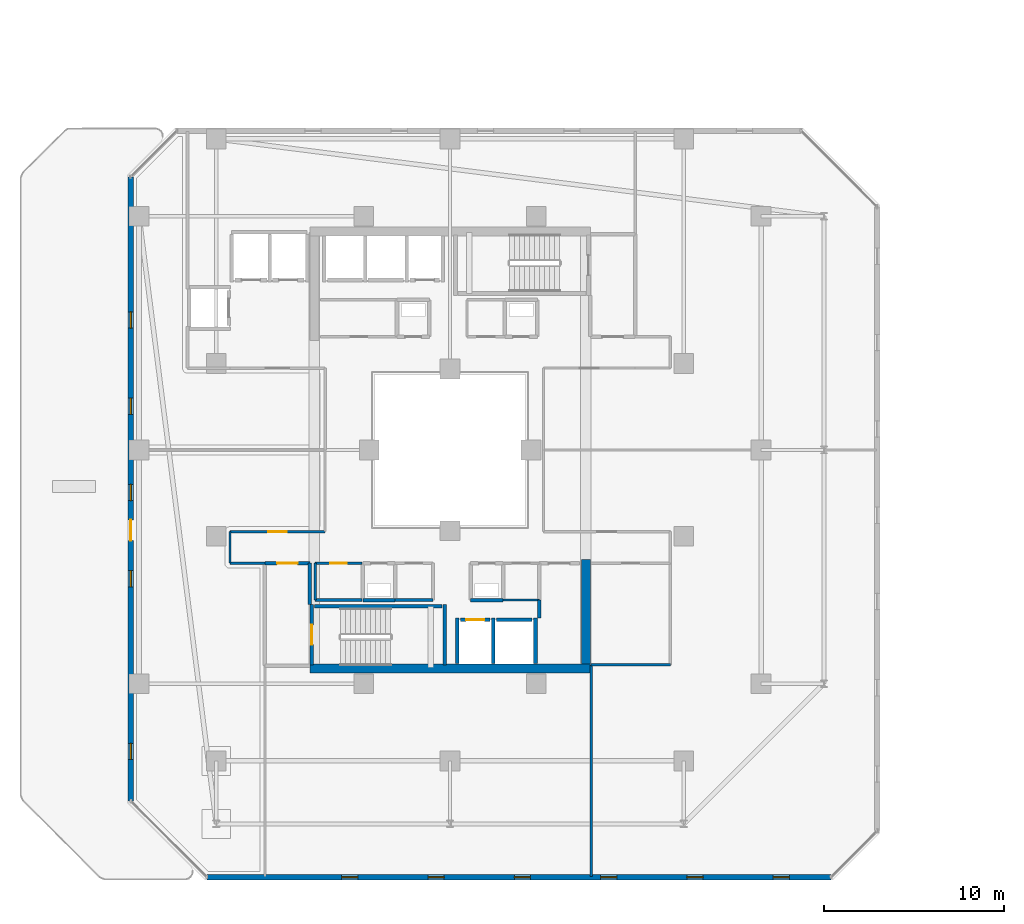
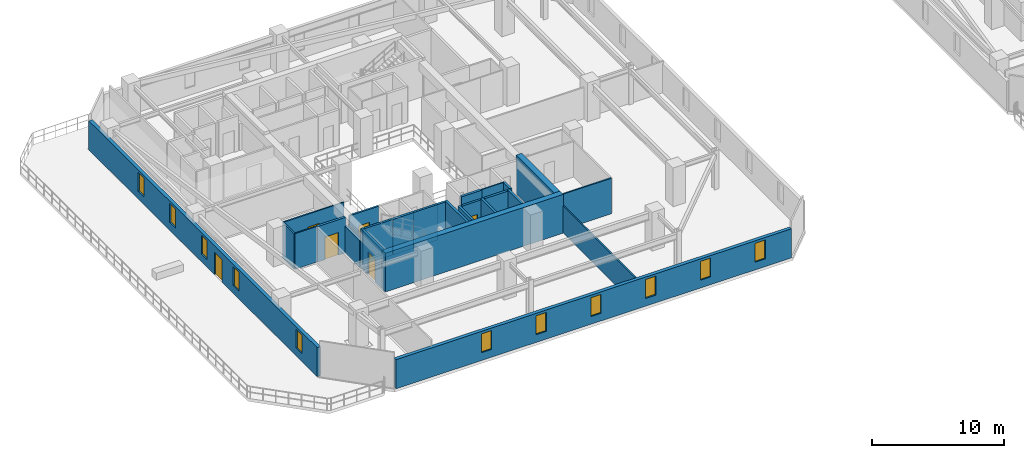
# One storey, part 18 of 30: 27 walls, 11 windows, 6 doors, 17 openings.
"""IFC4 building model written with IfcOpenShell, lengths in metres."""

from ifc_helpers import new_model, si_unit, direction, frame, frame_2d, origin, place, context, subcontext, project, spatial, rectangle, extrude, material, layer, layer_set, type_object, element, fill, save


model = new_model("IFC4")

# Units and contexts
model_context = context("Model", 3, precision=1e-05, world=origin(), true_north=direction((0.0, 1.0)))
body_context = subcontext(model_context, "Body", "Model", "MODEL_VIEW")
ifc_project = project(units=[si_unit("LENGTHUNIT", "METRE"), si_unit("AREAUNIT", "SQUARE_METRE"), si_unit("VOLUMEUNIT", "CUBIC_METRE"), si_unit("PLANEANGLEUNIT", "RADIAN"), si_unit("MASSUNIT", "GRAM", prefix="KILO")], contexts=[model_context])

# Site, building, storey
site_placement = place(None, origin())
site = spatial("IfcSite", under=ifc_project, at=site_placement, CompositionType="ELEMENT")
building_placement = place(site_placement, origin())
building = spatial("IfcBuilding", under=site, at=building_placement, Name="Thornwick Lancets Civic Towers", CompositionType="ELEMENT")
storey_placement = place(building_placement, frame((0.0, 0.0, 149.10009765625)))
storey = spatial("IfcBuildingStorey", under=building, at=storey_placement, Name="L39", CompositionType="ELEMENT", Elevation=149.10009765625)

# Wall, opening, door
ifc_material_1 = material(Name="Concrete blockwork C40/50", Category="masonry")
ifc_layer_1 = layer(ifc_material_1, 0.199951171875, Name="Concrete blockwork C40/50")
ifc_layer_set_1 = layer_set([ifc_layer_1], Name="Concrete blockwork C40/50")
wall_type_1 = type_object("IfcWallType", Name="WALL_COMP_200", PredefinedType="STANDARD", material=ifc_layer_set_1)
wall_1_placement = place(storey_placement, frame((26.080078125, 17.550048828125, 0.0), z_axis=(0.0, 0.0, 1.0), x_axis=(1.0, 0.0, 0.0)))
wall_1 = element("IfcWall", 1, at=wall_1_placement, inside=storey, type_object=wall_type_1, Name="L39 Hoistway Front Wall FL-A1", PredefinedType="STANDARD", context=body_context, shape_type="SweptSolid", body=[
    extrude(rectangle(XDim=1.639892578125, YDim=0.199951171875, at=frame_2d((0.81982421875, 0.0))), origin(), (0.0, 0.0, 1.0), 3.2998046875),
])
opening_1_placement = place(wall_1_placement, frame((0.31005859375, 0.0, 0.0)))
opening_1 = element("IfcOpeningElement", 2, at=opening_1_placement, cuts=wall_1, Name="Opening LD-FL-A1", PredefinedType="OPENING", context=body_context, shape_type="SweptSolid", body=[
    extrude(rectangle(XDim=1.02001953125, YDim=2.06005859375, at=frame_2d((0.510009765625, 1.030029296875))), frame((0.0, 0.10986328125, 0.0), z_axis=(0.0, -1.0, 0.0), x_axis=(1.0, 0.0, 0.0)), (0.0, 0.0, 1.0), 0.219970703125),
])
ifc_material_2 = material(Name="Brushed bronze stainless steel", Category="steel")
door_type_1 = type_object("IfcDoorType", Name="DOOR_LIFT_SLIDE", OperationType="SLIDING_TO_LEFT", PredefinedType="DOOR", material=ifc_material_2)
door_1_placement = place(opening_1_placement, origin())
door_1 = element("IfcDoor", 3, at=door_1_placement, inside=storey, type_object=door_type_1, Name="L39 Sliding Lift Landing Door LD-FL-A1", OperationType="SLIDING_TO_LEFT", OverallHeight=2.06005859375, OverallWidth=1.02001953125, PredefinedType="DOOR", context=body_context, shape_type="SweptSolid", body=[
    extrude(rectangle(XDim=1.02001953125, YDim=2.06005859375, at=frame_2d((0.510009765625, 1.030029296875))), frame((0.0, 0.02490234375, 0.0), z_axis=(0.0, -1.0, 0.0), x_axis=(1.0, 0.0, 0.0)), (0.0, 0.0, 1.0), 0.050048828125),
])
fill(opening_1, door_1)

# Walls
wall_2_placement = place(storey_placement, frame((28.080078125, 17.550048828125, 0.0), z_axis=(0.0, 0.0, 1.0), x_axis=(1.0, 0.0, 0.0)))
element("IfcWall", 4, at=wall_2_placement, inside=storey, type_object=wall_type_1, Name="L39 Hoistway Front Wall PL-AH1", PredefinedType="STANDARD", context=body_context, shape_type="SweptSolid", body=[
    extrude(rectangle(XDim=1.989990234375, YDim=0.199951171875, at=frame_2d((0.9951171875, 0.0))), origin(), (0.0, 0.0, 1.0), 3.2998046875),
])
for number, where, z_axis, x_axis, name in (
    (5, (27.89990234375, 15.112060546875, 0.0), (0.0, 0.0, 1.0), (0.0, 1.0, 0.0), "L39 Hoistway Shaft Wall FL-A1 E"),
    (6, (25.89990234375, 15.112060546875, 0.0), (0.0, 0.0, 1.0), (0.0, 1.0, 0.0), "L39 Hoistway Shaft Wall FL-A1 W"),
    (7, (30.25, 15.112060546875, 0.0), (0.0, 0.0, 1.0), (0.0, 1.0, 0.0), "L39 Hoistway Shaft Wall PL-AH1 E"),
):
    element("IfcWall", number, at=place(storey_placement, frame(where, z_axis=z_axis, x_axis=x_axis)), inside=storey, type_object=wall_type_1, Name=name, PredefinedType="STANDARD", context=body_context, shape_type="SweptSolid", body=[
        extrude(rectangle(XDim=2.535888671875, YDim=0.199951171875, at=frame_2d((1.26806640625, 0.0))), origin(), (0.0, 0.0, 1.0), 3.2998046875),
    ])
wall_3_placement = place(storey_placement, frame((17.699951171875, 18.39990234375, 0.0), z_axis=(0.0, 0.0, 1.0), x_axis=(0.0, 1.0, 0.0)))
element("IfcWall", 8, at=wall_3_placement, inside=storey, type_object=wall_type_1, Name="L39 Partition L39-A-FFLOB1 E2", PredefinedType="STANDARD", context=body_context, shape_type="SweptSolid", body=[
    extrude(rectangle(XDim=2.300048828125, YDim=0.199951171875, at=frame_2d((1.14990234375, 0.0))), origin(), (0.0, 0.0, 1.0), 2.5048828125),
])

# Wall, opening, door
wall_4_placement = place(storey_placement, frame((17.699951171875, 20.699951171875, 0.0), z_axis=(0.0, 0.0, 1.0), x_axis=(-1.0, 0.0, 0.0)))
wall_4 = element("IfcWall", 9, at=wall_4_placement, inside=storey, type_object=wall_type_1, Name="L39 Partition L39-A-FFLOB1 E3", PredefinedType="STANDARD", context=body_context, shape_type="SweptSolid", body=[
    extrude(rectangle(XDim=2.5, YDim=0.199951171875, at=frame_2d((1.25, 0.0))), origin(), (0.0, 0.0, 1.0), 3.2998046875),
])
opening_2_placement = place(wall_4_placement, frame((0.675048828125, 0.0, 0.0)))
opening_2 = element("IfcOpeningElement", 10, at=opening_2_placement, cuts=wall_4, Name="Opening D-L39-1755", PredefinedType="OPENING", context=body_context, shape_type="SweptSolid", body=[
    extrude(rectangle(XDim=1.14990234375, YDim=2.10009765625, at=frame_2d((0.574951171875, 1.050048828125))), frame((0.0, 0.10986328125, 0.0), z_axis=(0.0, -1.0, 0.0), x_axis=(1.0, 0.0, 0.0)), (0.0, 0.0, 1.0), 0.219970703125),
])
ifc_material_3 = material(Name="Glazed fire-resisting steel", Category="steel")
door_type_2 = type_object("IfcDoorType", Name="DOOR_LOBBY_FD60", OperationType="NOTDEFINED", PredefinedType="DOOR", material=ifc_material_3)
door_2_placement = place(opening_2_placement, origin())
door_2 = element("IfcDoor", 11, at=door_2_placement, inside=storey, type_object=door_type_2, Name="L39 South Firefighting Lobby 1 Door", OperationType="SINGLE_SWING_RIGHT", OverallHeight=2.10009765625, OverallWidth=1.14990234375, PredefinedType="DOOR", context=body_context, shape_type="SweptSolid", body=[
    extrude(rectangle(XDim=1.14990234375, YDim=2.10009765625, at=frame_2d((0.574951171875, 1.050048828125))), frame((0.0, 0.02490234375, 0.0), z_axis=(0.0, -1.0, 0.0), x_axis=(1.0, 0.0, 0.0)), (0.0, 0.0, 1.0), 0.050048828125),
])
fill(opening_2, door_2)

# Walls
for number, where, z_axis, x_axis, name in (
    (12, (26.64990234375, 18.64990234375, 0.0), (0.0, 0.0, 1.0), (1.0, 0.0, 0.0), "L39 Partition L39-A-DUCT1 E1"),
    (13, (20.64990234375, 18.64990234375, 0.0), (0.0, 0.0, 1.0), (1.0, 0.0, 0.0), "L39 Partition L39-A-RISER1 E1"),
):
    element("IfcWall", number, at=place(storey_placement, frame(where, z_axis=z_axis, x_axis=x_axis)), inside=storey, type_object=wall_type_1, Name=name, PredefinedType="STANDARD", context=body_context, shape_type="SweptSolid", body=[
        extrude(rectangle(XDim=1.800048828125, YDim=0.199951171875, at=frame_2d((0.89990234375, 0.0))), origin(), (0.0, 0.0, 1.0), 3.2998046875),
    ])
wall_5_placement = place(storey_placement, frame((30.449951171875, 17.64794921875, 0.0), z_axis=(0.0, 0.0, 1.0), x_axis=(0.0, 1.0, 0.0)))
element("IfcWall", 14, at=wall_5_placement, inside=storey, type_object=wall_type_1, Name="L39 Partition L39-A-ITR2 E3", PredefinedType="STANDARD", context=body_context, shape_type="SweptSolid", body=[
    extrude(rectangle(XDim=1.001953125, YDim=0.199951171875, at=frame_2d((0.5009765625, 0.0))), origin(), (0.0, 0.0, 1.0), 3.2998046875),
])
ifc_material_4 = material(Name="Concrete C50/60", Category="concrete")
ifc_layer_2 = layer(ifc_material_4, 0.5, Name="Concrete C50/60")
ifc_layer_set_2 = layer_set([ifc_layer_2], Name="Concrete C50/60")
wall_type_2 = type_object("IfcWallType", Name="WALL_CORE_500", PredefinedType="SHEAR", material=ifc_layer_set_2)
wall_6_placement = place(storey_placement, frame((17.699951171875, 14.85009765625, 0.0), z_axis=(0.0, 0.0, 1.0), x_axis=(1.0, 0.0, 0.0)))
element("IfcWall", 15, at=wall_6_placement, inside=storey, type_object=wall_type_2, Name="L39 Split Core A1 Shear Wall S", PredefinedType="SHEAR", context=body_context, shape_type="SweptSolid", body=[
    extrude(rectangle(XDim=15.60009765625, YDim=0.5, at=frame_2d((7.800048828125, 0.0))), origin(), (0.0, 0.0, 1.0), 3.599853515625),
])
wall_7_placement = place(storey_placement, frame((33.050048828125, 15.10009765625, 0.0), z_axis=(0.0, 0.0, 1.0), x_axis=(0.0, 1.0, 0.0)))
element("IfcWall", 16, at=wall_7_placement, inside=storey, type_object=wall_type_2, Name="L39 Split Core A1 Shear Wall E", PredefinedType="SHEAR", context=body_context, shape_type="SweptSolid", body=[
    extrude(rectangle(XDim=5.7998046875, YDim=0.5, at=frame_2d((2.89990234375, 0.0))), origin(), (0.0, 0.0, 1.0), 3.599853515625),
])

# Wall, openings, windows
ifc_material_5 = material(Name="Insulated russet terracotta rainscreen on concrete C40/50", Category="masonry")
ifc_layer_3 = layer(ifc_material_5, 0.300048828125, Name="Insulated russet terracotta rainscreen on concrete C40/50")
ifc_layer_set_3 = layer_set([ifc_layer_3], Name="Insulated russet terracotta rainscreen on concrete C40/50")
wall_type_3 = type_object("IfcWallType", Name="WALL_EXT_RUSSET_300", PredefinedType="STANDARD", material=ifc_layer_set_3)
wall_8_placement = place(storey_placement, frame((11.97412109375, 3.24072265625, 0.0), z_axis=(0.0, 0.0, 1.0), x_axis=(0.999999988026, -0.000154754115, 0.0)))
wall_8 = element("IfcWall", 17, at=wall_8_placement, inside=storey, type_object=wall_type_3, Name="L39 Tower A Terracotta Facade Wall E0", PredefinedType="STANDARD", context=body_context, shape_type="SweptSolid", body=[
    extrude(rectangle(XDim=34.707275390625, YDim=0.300048828125, at=frame_2d((17.353515625, 0.0))), origin(), (0.0, 0.0, 1.0), 2.699951171875),
])
opening_3_placement = place(wall_8_placement, frame((7.5, 0.0, 0.719970703125)))
opening_3 = element("IfcOpeningElement", 18, at=opening_3_placement, cuts=wall_8, Name="Opening WL-01", PredefinedType="OPENING", context=body_context, shape_type="SweptSolid", body=[
    extrude(rectangle(XDim=0.89990234375, YDim=1.75, at=frame_2d((0.449951171875, 0.875))), frame((0.0, 0.16015625, 0.0), z_axis=(0.0, -1.0, 0.0), x_axis=(1.0, 0.0, 0.0)), (0.0, 0.0, 1.0), 0.320068359375),
])
opening_4_placement = place(wall_8_placement, frame((12.300048828125, 0.0, 0.719970703125)))
opening_4 = element("IfcOpeningElement", 19, at=opening_4_placement, cuts=wall_8, Name="Opening WL-01", PredefinedType="OPENING", context=body_context, shape_type="SweptSolid", body=[
    extrude(rectangle(XDim=0.89990234375, YDim=1.75, at=frame_2d((0.449951171875, 0.875))), frame((0.0, 0.16015625, 0.0), z_axis=(0.0, -1.0, 0.0), x_axis=(1.0, 0.0, 0.0)), (0.0, 0.0, 1.0), 0.320068359375),
])
opening_5_placement = place(wall_8_placement, frame((17.10009765625, 0.0, 0.719970703125)))
opening_5 = element("IfcOpeningElement", 20, at=opening_5_placement, cuts=wall_8, Name="Opening WL-01", PredefinedType="OPENING", context=body_context, shape_type="SweptSolid", body=[
    extrude(rectangle(XDim=0.89990234375, YDim=1.75, at=frame_2d((0.449951171875, 0.875))), frame((0.0, 0.16015625, 0.0), z_axis=(0.0, -1.0, 0.0), x_axis=(1.0, 0.0, 0.0)), (0.0, 0.0, 1.0), 0.320068359375),
])
opening_6_placement = place(wall_8_placement, frame((21.89990234375, 0.0, 0.719970703125)))
opening_6 = element("IfcOpeningElement", 21, at=opening_6_placement, cuts=wall_8, Name="Opening WL-01", PredefinedType="OPENING", context=body_context, shape_type="SweptSolid", body=[
    extrude(rectangle(XDim=0.89990234375, YDim=1.75, at=frame_2d((0.449951171875, 0.875))), frame((0.0, 0.16015625, 0.0), z_axis=(0.0, -1.0, 0.0), x_axis=(1.0, 0.0, 0.0)), (0.0, 0.0, 1.0), 0.320068359375),
])
opening_7_placement = place(wall_8_placement, frame((26.699951171875, 0.0, 0.719970703125)))
opening_7 = element("IfcOpeningElement", 22, at=opening_7_placement, cuts=wall_8, Name="Opening WL-01", PredefinedType="OPENING", context=body_context, shape_type="SweptSolid", body=[
    extrude(rectangle(XDim=0.89990234375, YDim=1.75, at=frame_2d((0.449951171875, 0.875))), frame((0.0, 0.16015625, 0.0), z_axis=(0.0, -1.0, 0.0), x_axis=(1.0, 0.0, 0.0)), (0.0, 0.0, 1.0), 0.320068359375),
])
opening_8_placement = place(wall_8_placement, frame((31.5, 0.0, 0.719970703125)))
opening_8 = element("IfcOpeningElement", 23, at=opening_8_placement, cuts=wall_8, Name="Opening WL-01", PredefinedType="OPENING", context=body_context, shape_type="SweptSolid", body=[
    extrude(rectangle(XDim=0.89990234375, YDim=1.75, at=frame_2d((0.449951171875, 0.875))), frame((0.0, 0.16015625, 0.0), z_axis=(0.0, -1.0, 0.0), x_axis=(1.0, 0.0, 0.0)), (0.0, 0.0, 1.0), 0.320068359375),
])
ifc_material_6 = material(Name="Clear low-e double glazing in bronze frame", Category="glass")
window_type = type_object("IfcWindowType", Name="WIN_LANCET_900", PartitioningType="SINGLE_PANEL", PredefinedType="WINDOW", material=ifc_material_6)
window_1_placement = place(opening_3_placement, origin())
window_1 = element("IfcWindow", 24, at=window_1_placement, inside=storey, type_object=window_type, Name="L39 Tower A Staggered Lancet Window E0-1", OverallHeight=1.75, OverallWidth=0.89990234375, PartitioningType="SINGLE_PANEL", PredefinedType="WINDOW", context=body_context, shape_type="SweptSolid", body=[
    extrude(rectangle(XDim=0.89990234375, YDim=1.75, at=frame_2d((0.449951171875, 0.875))), frame((0.0, 0.030029296875, 0.0), z_axis=(0.0, -1.0, 0.0), x_axis=(1.0, 0.0, 0.0)), (0.0, 0.0, 1.0), 0.06005859375),
])
fill(opening_3, window_1)
window_2_placement = place(opening_4_placement, origin())
window_2 = element("IfcWindow", 25, at=window_2_placement, inside=storey, type_object=window_type, Name="L39 Tower A Staggered Lancet Window E0-2", OverallHeight=1.75, OverallWidth=0.89990234375, PartitioningType="SINGLE_PANEL", PredefinedType="WINDOW", context=body_context, shape_type="SweptSolid", body=[
    extrude(rectangle(XDim=0.89990234375, YDim=1.75, at=frame_2d((0.449951171875, 0.875))), frame((0.0, 0.030029296875, 0.0), z_axis=(0.0, -1.0, 0.0), x_axis=(1.0, 0.0, 0.0)), (0.0, 0.0, 1.0), 0.06005859375),
])
fill(opening_4, window_2)
window_3_placement = place(opening_5_placement, origin())
window_3 = element("IfcWindow", 26, at=window_3_placement, inside=storey, type_object=window_type, Name="L39 Tower A Staggered Lancet Window E0-3", OverallHeight=1.75, OverallWidth=0.89990234375, PartitioningType="SINGLE_PANEL", PredefinedType="WINDOW", context=body_context, shape_type="SweptSolid", body=[
    extrude(rectangle(XDim=0.89990234375, YDim=1.75, at=frame_2d((0.449951171875, 0.875))), frame((0.0, 0.030029296875, 0.0), z_axis=(0.0, -1.0, 0.0), x_axis=(1.0, 0.0, 0.0)), (0.0, 0.0, 1.0), 0.06005859375),
])
fill(opening_5, window_3)
window_4_placement = place(opening_6_placement, origin())
window_4 = element("IfcWindow", 27, at=window_4_placement, inside=storey, type_object=window_type, Name="L39 Tower A Staggered Lancet Window E0-4", OverallHeight=1.75, OverallWidth=0.89990234375, PartitioningType="SINGLE_PANEL", PredefinedType="WINDOW", context=body_context, shape_type="SweptSolid", body=[
    extrude(rectangle(XDim=0.89990234375, YDim=1.75, at=frame_2d((0.449951171875, 0.875))), frame((0.0, 0.030029296875, 0.0), z_axis=(0.0, -1.0, 0.0), x_axis=(1.0, 0.0, 0.0)), (0.0, 0.0, 1.0), 0.06005859375),
])
fill(opening_6, window_4)
window_5_placement = place(opening_7_placement, origin())
window_5 = element("IfcWindow", 28, at=window_5_placement, inside=storey, type_object=window_type, Name="L39 Tower A Staggered Lancet Window E0-5", OverallHeight=1.75, OverallWidth=0.89990234375, PartitioningType="SINGLE_PANEL", PredefinedType="WINDOW", context=body_context, shape_type="SweptSolid", body=[
    extrude(rectangle(XDim=0.89990234375, YDim=1.75, at=frame_2d((0.449951171875, 0.875))), frame((0.0, 0.030029296875, 0.0), z_axis=(0.0, -1.0, 0.0), x_axis=(1.0, 0.0, 0.0)), (0.0, 0.0, 1.0), 0.06005859375),
])
fill(opening_7, window_5)
window_6_placement = place(opening_8_placement, origin())
window_6 = element("IfcWindow", 29, at=window_6_placement, inside=storey, type_object=window_type, Name="L39 Tower A Staggered Lancet Window E0-6", OverallHeight=1.75, OverallWidth=0.89990234375, PartitioningType="SINGLE_PANEL", PredefinedType="WINDOW", context=body_context, shape_type="SweptSolid", body=[
    extrude(rectangle(XDim=0.89990234375, YDim=1.75, at=frame_2d((0.449951171875, 0.875))), frame((0.0, 0.030029296875, 0.0), z_axis=(0.0, -1.0, 0.0), x_axis=(1.0, 0.0, 0.0)), (0.0, 0.0, 1.0), 0.06005859375),
])
fill(opening_8, window_6)

# Wall, openings, door, windows
wall_9_placement = place(storey_placement, frame((7.7353515625, 42.181396484375, 0.0), z_axis=(0.0, 0.0, 1.0), x_axis=(0.000154754115, -0.999999988026, 0.0)))
wall_9 = element("IfcWall", 30, at=wall_9_placement, inside=storey, type_object=wall_type_3, Name="L39 Tower A Terracotta Facade Wall E6", PredefinedType="STANDARD", context=body_context, shape_type="SweptSolid", body=[
    extrude(rectangle(XDim=34.707275390625, YDim=0.300048828125, at=frame_2d((17.353515625, 0.0))), origin(), (0.0, 0.0, 1.0), 2.699951171875),
])
opening_9_placement = place(wall_9_placement, frame((19.07861328125, 0.0, 0.0)))
opening_9 = element("IfcOpeningElement", 31, at=opening_9_placement, cuts=wall_9, Name="Opening D-SG-L39-A6", PredefinedType="OPENING", context=body_context, shape_type="SweptSolid", body=[
    extrude(rectangle(XDim=1.14990234375, YDim=2.10009765625, at=frame_2d((0.574951171875, 1.050048828125))), frame((0.0, 0.16015625, 0.0), z_axis=(0.0, -1.0, 0.0), x_axis=(1.0, 0.0, 0.0)), (0.0, 0.0, 1.0), 0.320068359375),
])
opening_10_placement = place(wall_9_placement, frame((7.5, 0.0, 0.719970703125)))
opening_10 = element("IfcOpeningElement", 32, at=opening_10_placement, cuts=wall_9, Name="Opening WL-01", PredefinedType="OPENING", context=body_context, shape_type="SweptSolid", body=[
    extrude(rectangle(XDim=0.89990234375, YDim=1.75, at=frame_2d((0.449951171875, 0.875))), frame((0.0, 0.16015625, 0.0), z_axis=(0.0, -1.0, 0.0), x_axis=(1.0, 0.0, 0.0)), (0.0, 0.0, 1.0), 0.320068359375),
])
opening_11_placement = place(wall_9_placement, frame((12.300048828125, 0.0, 0.719970703125)))
opening_11 = element("IfcOpeningElement", 33, at=opening_11_placement, cuts=wall_9, Name="Opening WL-01", PredefinedType="OPENING", context=body_context, shape_type="SweptSolid", body=[
    extrude(rectangle(XDim=0.89990234375, YDim=1.75, at=frame_2d((0.449951171875, 0.875))), frame((0.0, 0.16015625, 0.0), z_axis=(0.0, -1.0, 0.0), x_axis=(1.0, 0.0, 0.0)), (0.0, 0.0, 1.0), 0.320068359375),
])
opening_12_placement = place(wall_9_placement, frame((17.10009765625, 0.0, 0.719970703125)))
opening_12 = element("IfcOpeningElement", 34, at=opening_12_placement, cuts=wall_9, Name="Opening WL-01", PredefinedType="OPENING", context=body_context, shape_type="SweptSolid", body=[
    extrude(rectangle(XDim=0.89990234375, YDim=1.75, at=frame_2d((0.449951171875, 0.875))), frame((0.0, 0.16015625, 0.0), z_axis=(0.0, -1.0, 0.0), x_axis=(1.0, 0.0, 0.0)), (0.0, 0.0, 1.0), 0.320068359375),
])
opening_13_placement = place(wall_9_placement, frame((21.89990234375, 0.0, 0.719970703125)))
opening_13 = element("IfcOpeningElement", 35, at=opening_13_placement, cuts=wall_9, Name="Opening WL-01", PredefinedType="OPENING", context=body_context, shape_type="SweptSolid", body=[
    extrude(rectangle(XDim=0.89990234375, YDim=1.75, at=frame_2d((0.449951171875, 0.875))), frame((0.0, 0.16015625, 0.0), z_axis=(0.0, -1.0, 0.0), x_axis=(1.0, 0.0, 0.0)), (0.0, 0.0, 1.0), 0.320068359375),
])
opening_14_placement = place(wall_9_placement, frame((31.5, 0.0, 0.719970703125)))
opening_14 = element("IfcOpeningElement", 36, at=opening_14_placement, cuts=wall_9, Name="Opening WL-01", PredefinedType="OPENING", context=body_context, shape_type="SweptSolid", body=[
    extrude(rectangle(XDim=0.89990234375, YDim=1.75, at=frame_2d((0.449951171875, 0.875))), frame((0.0, 0.16015625, 0.0), z_axis=(0.0, -1.0, 0.0), x_axis=(1.0, 0.0, 0.0)), (0.0, 0.0, 1.0), 0.320068359375),
])
ifc_material_7 = material(Name="Thermally broken glazed terrace doorset")
door_type_3 = type_object("IfcDoorType", Name="DOOR_TERRACE_1200", OperationType="NOTDEFINED", PredefinedType="DOOR", material=ifc_material_7)
door_3_placement = place(opening_9_placement, origin())
door_3 = element("IfcDoor", 37, at=door_3_placement, inside=storey, type_object=door_type_3, Name="L39 Tower A Sky-Garden Terrace Door", OperationType="SINGLE_SWING_RIGHT", OverallHeight=2.10009765625, OverallWidth=1.14990234375, PredefinedType="DOOR", context=body_context, shape_type="SweptSolid", body=[
    extrude(rectangle(XDim=1.14990234375, YDim=2.10009765625, at=frame_2d((0.574951171875, 1.050048828125))), frame((0.0, 0.02490234375, 0.0), z_axis=(0.0, -1.0, 0.0), x_axis=(1.0, 0.0, 0.0)), (0.0, 0.0, 1.0), 0.050048828125),
])
fill(opening_9, door_3)
window_7_placement = place(opening_10_placement, origin())
window_7 = element("IfcWindow", 38, at=window_7_placement, inside=storey, type_object=window_type, Name="L39 Tower A Staggered Lancet Window E6-1", OverallHeight=1.75, OverallWidth=0.89990234375, PartitioningType="SINGLE_PANEL", PredefinedType="WINDOW", context=body_context, shape_type="SweptSolid", body=[
    extrude(rectangle(XDim=0.89990234375, YDim=1.75, at=frame_2d((0.449951171875, 0.875))), frame((0.0, 0.030029296875, 0.0), z_axis=(0.0, -1.0, 0.0), x_axis=(1.0, 0.0, 0.0)), (0.0, 0.0, 1.0), 0.06005859375),
])
fill(opening_10, window_7)
window_8_placement = place(opening_11_placement, origin())
window_8 = element("IfcWindow", 39, at=window_8_placement, inside=storey, type_object=window_type, Name="L39 Tower A Staggered Lancet Window E6-2", OverallHeight=1.75, OverallWidth=0.89990234375, PartitioningType="SINGLE_PANEL", PredefinedType="WINDOW", context=body_context, shape_type="SweptSolid", body=[
    extrude(rectangle(XDim=0.89990234375, YDim=1.75, at=frame_2d((0.449951171875, 0.875))), frame((0.0, 0.030029296875, 0.0), z_axis=(0.0, -1.0, 0.0), x_axis=(1.0, 0.0, 0.0)), (0.0, 0.0, 1.0), 0.06005859375),
])
fill(opening_11, window_8)
window_9_placement = place(opening_12_placement, origin())
window_9 = element("IfcWindow", 40, at=window_9_placement, inside=storey, type_object=window_type, Name="L39 Tower A Staggered Lancet Window E6-3", OverallHeight=1.75, OverallWidth=0.89990234375, PartitioningType="SINGLE_PANEL", PredefinedType="WINDOW", context=body_context, shape_type="SweptSolid", body=[
    extrude(rectangle(XDim=0.89990234375, YDim=1.75, at=frame_2d((0.449951171875, 0.875))), frame((0.0, 0.030029296875, 0.0), z_axis=(0.0, -1.0, 0.0), x_axis=(1.0, 0.0, 0.0)), (0.0, 0.0, 1.0), 0.06005859375),
])
fill(opening_12, window_9)
window_10_placement = place(opening_13_placement, origin())
window_10 = element("IfcWindow", 41, at=window_10_placement, inside=storey, type_object=window_type, Name="L39 Tower A Staggered Lancet Window E6-4", OverallHeight=1.75, OverallWidth=0.89990234375, PartitioningType="SINGLE_PANEL", PredefinedType="WINDOW", context=body_context, shape_type="SweptSolid", body=[
    extrude(rectangle(XDim=0.89990234375, YDim=1.75, at=frame_2d((0.449951171875, 0.875))), frame((0.0, 0.030029296875, 0.0), z_axis=(0.0, -1.0, 0.0), x_axis=(1.0, 0.0, 0.0)), (0.0, 0.0, 1.0), 0.06005859375),
])
fill(opening_13, window_10)
window_11_placement = place(opening_14_placement, origin())
window_11 = element("IfcWindow", 42, at=window_11_placement, inside=storey, type_object=window_type, Name="L39 Tower A Staggered Lancet Window E6-5", OverallHeight=1.75, OverallWidth=0.89990234375, PartitioningType="SINGLE_PANEL", PredefinedType="WINDOW", context=body_context, shape_type="SweptSolid", body=[
    extrude(rectangle(XDim=0.89990234375, YDim=1.75, at=frame_2d((0.449951171875, 0.875))), frame((0.0, 0.030029296875, 0.0), z_axis=(0.0, -1.0, 0.0), x_axis=(1.0, 0.0, 0.0)), (0.0, 0.0, 1.0), 0.06005859375),
])
fill(opening_14, window_11)

# Walls
ifc_material_8 = material(Name="Lightweight cellular office partition")
ifc_layer_4 = layer(ifc_material_8, 0.10009765625, Name="Lightweight cellular office partition")
ifc_layer_set_4 = layer_set([ifc_layer_4], Name="Lightweight cellular office partition")
wall_type_4 = type_object("IfcWallType", Name="WALL_PART_100", PredefinedType="PARTITIONING", material=ifc_layer_set_4)
wall_10_placement = place(storey_placement, frame((30.449951171875, 18.64990234375, 0.0), z_axis=(0.0, 0.0, 1.0), x_axis=(-1.0, 0.0, 0.0)))
element("IfcWall", 43, at=wall_10_placement, inside=storey, type_object=wall_type_4, Name="L39 Partition L39-A-CLN E2", PredefinedType="PARTITIONING", context=body_context, shape_type="SweptSolid", body=[
    extrude(rectangle(XDim=2.0, YDim=0.10009765625, at=frame_2d((1.0, 0.0))), origin(), (0.0, 0.0, 1.0), 3.2998046875),
])
ifc_material_9 = material(Name="Acoustic gypsum board partition")
ifc_layer_5 = layer(ifc_material_9, 0.1201171875, Name="Acoustic gypsum board partition")
ifc_layer_set_5 = layer_set([ifc_layer_5], Name="Acoustic gypsum board partition")
wall_type_5 = type_object("IfcWallType", Name="WALL_PART_120", PredefinedType="PARTITIONING", material=ifc_layer_set_5)
wall_11_placement = place(storey_placement, frame((37.75, 15.050048828125, 0.0), z_axis=(0.0, 0.0, 1.0), x_axis=(-1.0, 0.0, 0.0)))
element("IfcWall", 44, at=wall_11_placement, inside=storey, type_object=wall_type_5, Name="L39 Partition L39-A-RECLAIM-L1 E1", PredefinedType="PARTITIONING", context=body_context, shape_type="SweptSolid", body=[
    extrude(rectangle(XDim=4.39990234375, YDim=0.1201171875, at=frame_2d((2.199951171875, 0.0))), origin(), (0.0, 0.0, 1.0), 3.2998046875),
])

# Wall, opening, door
wall_12_placement = place(storey_placement, frame((18.550048828125, 22.449951171875, 0.0), z_axis=(0.0, 0.0, 1.0), x_axis=(-1.0, 0.0, 0.0)))
wall_12 = element("IfcWall", 45, at=wall_12_placement, inside=storey, type_object=wall_type_5, Name="L39 Partition L39-A-W1 E2", PredefinedType="PARTITIONING", context=body_context, shape_type="SweptSolid", body=[
    extrude(rectangle(XDim=5.300048828125, YDim=0.1201171875, at=frame_2d((2.64990234375, 0.0))), origin(), (0.0, 0.0, 1.0), 3.2998046875),
])
opening_15_placement = place(wall_12_placement, frame((2.125, 0.0, 0.0)))
opening_15 = element("IfcOpeningElement", 46, at=opening_15_placement, cuts=wall_12, Name="Opening D-L39-1780", PredefinedType="OPENING", context=body_context, shape_type="SweptSolid", body=[
    extrude(rectangle(XDim=1.050048828125, YDim=2.10009765625, at=frame_2d((0.52490234375, 1.050048828125))), frame((0.0, 0.070068359375, 0.0), z_axis=(0.0, -1.0, 0.0), x_axis=(1.0, 0.0, 0.0)), (0.0, 0.0, 1.0), 0.14013671875),
])
ifc_material_10 = material(Name="Glazed European oak executive doorset")
door_type_4 = type_object("IfcDoorType", Name="DOOR_OFFICE_1050", OperationType="NOTDEFINED", PredefinedType="DOOR", material=ifc_material_10)
door_4_placement = place(opening_15_placement, origin())
door_4 = element("IfcDoor", 47, at=door_4_placement, inside=storey, type_object=door_type_4, Name="L39 Tower A Ministry Directorate Office W1 Door", OperationType="SINGLE_SWING_LEFT", OverallHeight=2.10009765625, OverallWidth=1.050048828125, PredefinedType="DOOR", context=body_context, shape_type="SweptSolid", body=[
    extrude(rectangle(XDim=1.050048828125, YDim=2.10009765625, at=frame_2d((0.52490234375, 1.050048828125))), frame((0.0, 0.02490234375, 0.0), z_axis=(0.0, -1.0, 0.0), x_axis=(1.0, 0.0, 0.0)), (0.0, 0.0, 1.0), 0.050048828125),
])
fill(opening_15, door_4)

# Walls
wall_13_placement = place(storey_placement, frame((13.25, 22.449951171875, 0.0), z_axis=(0.0, 0.0, 1.0), x_axis=(0.0, -1.0, 0.0)))
element("IfcWall", 48, at=wall_13_placement, inside=storey, type_object=wall_type_5, Name="L39 Partition L39-A-W1 E3", PredefinedType="PARTITIONING", context=body_context, shape_type="SweptSolid", body=[
    extrude(rectangle(XDim=1.75, YDim=0.1201171875, at=frame_2d((0.875, 0.0))), origin(), (0.0, 0.0, 1.0), 3.2998046875),
])
wall_14_placement = place(storey_placement, frame((13.25, 20.699951171875, 0.0), z_axis=(0.0, 0.0, 1.0), x_axis=(1.0, 0.0, 0.0)))
element("IfcWall", 49, at=wall_14_placement, inside=storey, type_object=wall_type_5, Name="L39 Partition L39-A-W1 E4", PredefinedType="PARTITIONING", context=body_context, shape_type="SweptSolid", body=[
    extrude(rectangle(XDim=1.949951171875, YDim=0.1201171875, at=frame_2d((0.97509765625, 0.0))), origin(), (0.0, 0.0, 1.0), 3.2998046875),
])
wall_15_placement = place(storey_placement, frame((33.35009765625, 3.280029296875, 0.0), z_axis=(0.0, 0.0, 1.0), x_axis=(0.0, 1.0, 0.0)))
element("IfcWall", 50, at=wall_15_placement, inside=storey, type_object=wall_type_5, Name="L39 Partition L39-A-E1 E2", PredefinedType="PARTITIONING", context=body_context, shape_type="SweptSolid", body=[
    extrude(rectangle(XDim=11.77001953125, YDim=0.1201171875, at=frame_2d((5.885009765625, 0.0))), origin(), (0.0, 0.0, 1.0), 2.5048828125),
])
ifc_material_11 = material(Name="Twin-stud acoustic gypsum board")
ifc_layer_6 = layer(ifc_material_11, 0.14990234375, Name="Twin-stud acoustic gypsum board")
ifc_layer_set_6 = layer_set([ifc_layer_6], Name="Twin-stud acoustic gypsum board")
wall_type_6 = type_object("IfcWallType", Name="WALL_PART_150", PredefinedType="PARTITIONING", material=ifc_layer_set_6)
wall_16_placement = place(storey_placement, frame((18.0, 18.64990234375, 0.0), z_axis=(0.0, 0.0, 1.0), x_axis=(1.0, 0.0, 0.0)))
element("IfcWall", 51, at=wall_16_placement, inside=storey, type_object=wall_type_6, Name="L39 Partition L39-A-MWC E1", PredefinedType="PARTITIONING", context=body_context, shape_type="SweptSolid", body=[
    extrude(rectangle(XDim=2.60009765625, YDim=0.14990234375, at=frame_2d((1.300048828125, 0.0))), origin(), (0.0, 0.0, 1.0), 3.2998046875),
])

# Wall, opening, door
wall_17_placement = place(storey_placement, frame((20.60009765625, 20.699951171875, 0.0), z_axis=(0.0, 0.0, 1.0), x_axis=(-1.0, 0.0, 0.0)))
wall_17 = element("IfcWall", 52, at=wall_17_placement, inside=storey, type_object=wall_type_6, Name="L39 Partition L39-A-MWC E3", PredefinedType="PARTITIONING", context=body_context, shape_type="SweptSolid", body=[
    extrude(rectangle(XDim=2.60009765625, YDim=0.14990234375, at=frame_2d((1.300048828125, 0.0))), origin(), (0.0, 0.0, 1.0), 3.2998046875),
])
opening_16_placement = place(wall_17_placement, frame((0.840087890625, 0.0, 0.0)))
opening_16 = element("IfcOpeningElement", 53, at=opening_16_placement, cuts=wall_17, Name="Opening D-L39-1761", PredefinedType="OPENING", context=body_context, shape_type="SweptSolid", body=[
    extrude(rectangle(XDim=0.919921875, YDim=2.080078125, at=frame_2d((0.4599609375, 1.0400390625))), frame((0.0, 0.0849609375, 0.0), z_axis=(0.0, -1.0, 0.0), x_axis=(1.0, 0.0, 0.0)), (0.0, 0.0, 1.0), 0.169921875),
])
ifc_material_12 = material(Name="Moisture-resistant oak doorset")
door_type_5 = type_object("IfcDoorType", Name="DOOR_WC_900", OperationType="NOTDEFINED", PredefinedType="DOOR", material=ifc_material_12)
door_5_placement = place(opening_16_placement, origin())
door_5 = element("IfcDoor", 54, at=door_5_placement, inside=storey, type_object=door_type_5, Name="L39 Tower A Male WC Door", OperationType="SINGLE_SWING_RIGHT", OverallHeight=2.080078125, OverallWidth=0.919921875, PredefinedType="DOOR", context=body_context, shape_type="SweptSolid", body=[
    extrude(rectangle(XDim=0.919921875, YDim=2.080078125, at=frame_2d((0.4599609375, 1.0400390625))), frame((0.0, 0.02490234375, 0.0), z_axis=(0.0, -1.0, 0.0), x_axis=(1.0, 0.0, 0.0)), (0.0, 0.0, 1.0), 0.050048828125),
])
fill(opening_16, door_5)

# Walls
wall_18_placement = place(storey_placement, frame((18.0, 20.699951171875, 0.0), z_axis=(0.0, 0.0, 1.0), x_axis=(0.0, -1.0, 0.0)))
element("IfcWall", 55, at=wall_18_placement, inside=storey, type_object=wall_type_6, Name="L39 Partition L39-A-MWC E4", PredefinedType="PARTITIONING", context=body_context, shape_type="SweptSolid", body=[
    extrude(rectangle(XDim=2.050048828125, YDim=0.14990234375, at=frame_2d((1.02490234375, 0.0))), origin(), (0.0, 0.0, 1.0), 2.5048828125),
])
wall_19_placement = place(storey_placement, frame((24.550048828125, 18.64990234375, 0.0), z_axis=(0.0, 0.0, 1.0), x_axis=(-1.0, 0.0, 0.0)))
element("IfcWall", 56, at=wall_19_placement, inside=storey, type_object=wall_type_6, Name="L39 Partition L39-A-AWC E2", PredefinedType="PARTITIONING", context=body_context, shape_type="SweptSolid", body=[
    extrude(rectangle(XDim=2.10009765625, YDim=0.14990234375, at=frame_2d((1.050048828125, 0.0))), origin(), (0.0, 0.0, 1.0), 3.2998046875),
])

# Wall, opening, door
ifc_material_13 = material(Name="Concrete C40/50", Category="concrete")
ifc_layer_7 = layer(ifc_material_13, 0.199951171875, Name="Concrete C40/50")
ifc_layer_set_7 = layer_set([ifc_layer_7], Name="Concrete C40/50")
wall_type_7 = type_object("IfcWallType", Name="WALL_SHAFT_200", PredefinedType="SHEAR", material=ifc_layer_set_7)
wall_20_placement = place(storey_placement, frame((17.800048828125, 15.050048828125, 0.0), z_axis=(0.0, 0.0, 1.0), x_axis=(0.0, 1.0, 0.0)))
wall_20 = element("IfcWall", 57, at=wall_20_placement, inside=storey, type_object=wall_type_7, Name="L39 ST-A1 Fire Stair Core Wall NEAR", PredefinedType="SHEAR", context=body_context, shape_type="SweptSolid", body=[
    extrude(rectangle(XDim=3.349853515625, YDim=0.199951171875, at=frame_2d((1.6748046875, 0.0))), origin(), (0.0, 0.0, 1.0), 3.599853515625),
])
opening_17_placement = place(wall_20_placement, frame((1.125, 0.0, 0.0)))
opening_17 = element("IfcOpeningElement", 58, at=opening_17_placement, cuts=wall_20, Name="Opening D-ST-A1-L39", PredefinedType="OPENING", context=body_context, shape_type="SweptSolid", body=[
    extrude(rectangle(XDim=1.10009765625, YDim=2.10009765625, at=frame_2d((0.550048828125, 1.050048828125))), frame((0.0, 0.10986328125, 0.0), z_axis=(0.0, -1.0, 0.0), x_axis=(1.0, 0.0, 0.0)), (0.0, 0.0, 1.0), 0.219970703125),
])
ifc_material_14 = material(Name="Fire-resisting steel and hardwood", Category="steel")
door_type_6 = type_object("IfcDoorType", Name="DOOR_STAIR_FD60", OperationType="NOTDEFINED", PredefinedType="DOOR", material=ifc_material_14)
door_6_placement = place(opening_17_placement, origin())
door_6 = element("IfcDoor", 59, at=door_6_placement, inside=storey, type_object=door_type_6, Name="L39 ST-A1 Exit Stair Door", OperationType="SINGLE_SWING_RIGHT", OverallHeight=2.10009765625, OverallWidth=1.10009765625, PredefinedType="DOOR", context=body_context, shape_type="SweptSolid", body=[
    extrude(rectangle(XDim=1.10009765625, YDim=2.10009765625, at=frame_2d((0.550048828125, 1.050048828125))), frame((0.0, 0.02490234375, 0.0), z_axis=(0.0, -1.0, 0.0), x_axis=(1.0, 0.0, 0.0)), (0.0, 0.0, 1.0), 0.050048828125),
])
fill(opening_17, door_6)

# Walls
wall_21_placement = place(storey_placement, frame((25.199951171875, 18.39990234375, 0.0), z_axis=(0.0, 0.0, 1.0), x_axis=(0.0, -1.0, 0.0)))
element("IfcWall", 60, at=wall_21_placement, inside=storey, type_object=wall_type_7, Name="L39 ST-A1 Fire Stair Core Wall FAR", PredefinedType="SHEAR", context=body_context, shape_type="SweptSolid", body=[
    extrude(rectangle(XDim=3.349853515625, YDim=0.199951171875, at=frame_2d((1.6748046875, 0.0))), origin(), (0.0, 0.0, 1.0), 3.599853515625),
])
wall_22_placement = place(storey_placement, frame((25.050048828125, 18.297119140625, 0.0), z_axis=(0.0, 0.0, 1.0), x_axis=(-1.0, 0.0, 0.0)))
element("IfcWall", 61, at=wall_22_placement, inside=storey, type_object=wall_type_7, Name="L39 ST-A1 Fire Stair Core Wall RIGHT", PredefinedType="SHEAR", context=body_context, shape_type="SweptSolid", body=[
    extrude(rectangle(XDim=7.10009765625, YDim=0.199951171875, at=frame_2d((3.550048828125, 0.0))), origin(), (0.0, 0.0, 1.0), 3.599853515625),
])

save(model, "model.ifc")
